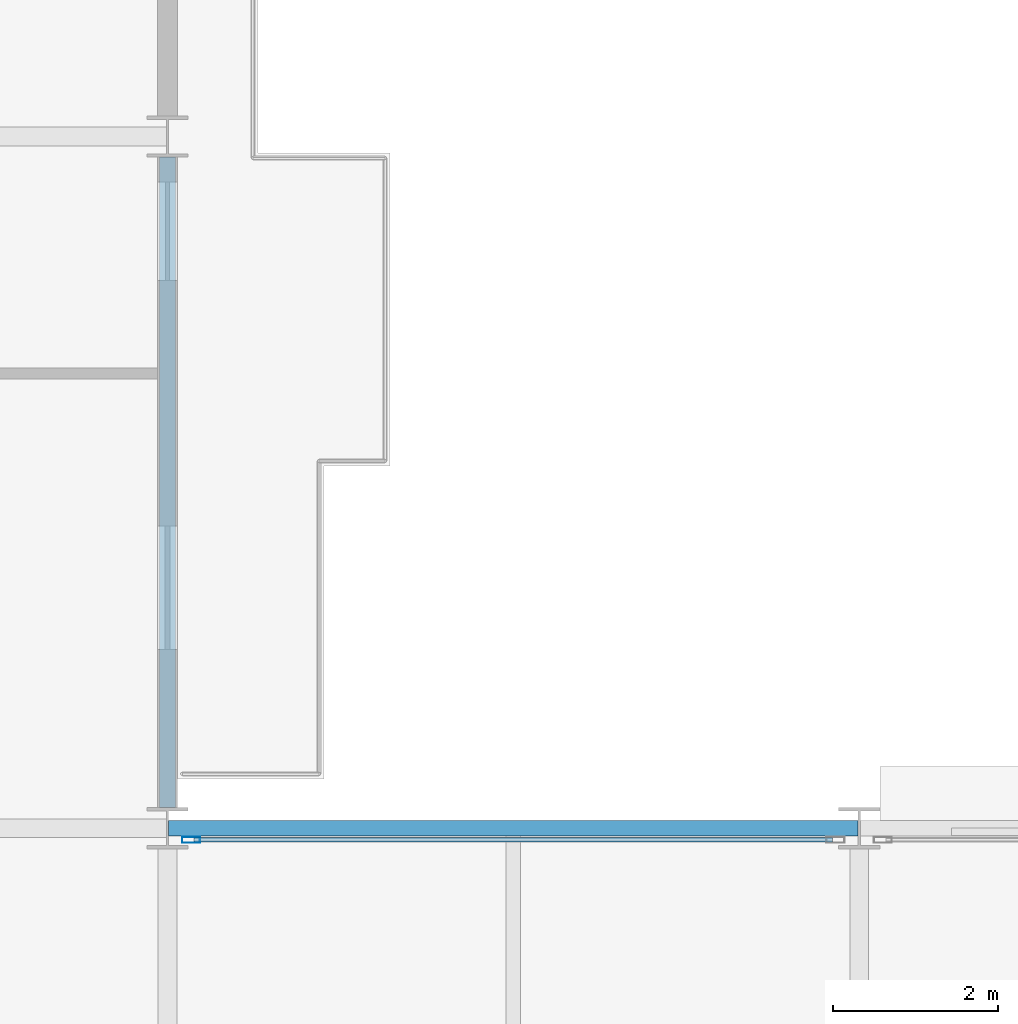
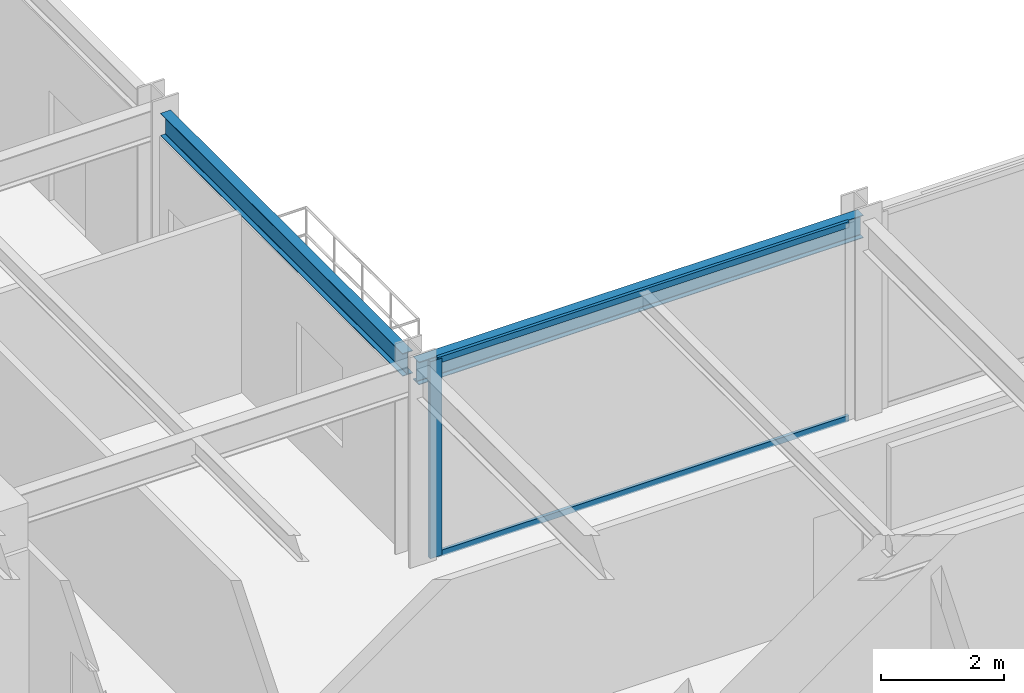
# One storey, part 8 of 25: 3 members, 2 beams, 1 element without a shape of its own.
"""IFC4 building model written with IfcOpenShell, lengths in metres."""

import ifcopenshell
import ifcopenshell.guid

model = None  # the IFC model being written
_history = None  # IfcOwnerHistory: only IFC2X3 demands one
_inside = {}  # id of a spatial element -> (the spatial element, [elements in it])
_under = {}  # id of a project, library or spatial element -> (it, [spatial elements below it])
_declared = {}  # id of a project -> (the project, [libraries it declares])
_typed = {}  # id of a type object -> (the type object, [elements of that type])
_made_of = {}  # id of a material, layer set ... -> (it, [elements and type objects made of it])


def new_model(schema):
    """Start an empty IFC model of exactly this schema.

    Asked for "IFC4X3", IfcOpenShell would pick the latest addendum, in which some entities
    have other attributes; the version numbers below select the first issue.
    IFC2X3 requires an IfcOwnerHistory on every rooted entity: one is made here for all.
    """
    global model, _history
    if schema == "IFC4X3":
        model = ifcopenshell.file(schema_version=(4, 3, 0, 0))
    else:
        model = ifcopenshell.file(schema=schema)
    _inside.clear()
    _under.clear()
    _declared.clear()
    _typed.clear()
    _made_of.clear()
    _history = None
    if model.schema == "IFC2X3":
        org = make("IfcOrganization", Name="unknown")
        user = make(
            "IfcPersonAndOrganization",
            ThePerson=make("IfcPerson", FamilyName="unknown"),
            TheOrganization=org,
        )
        app = make(
            "IfcApplication",
            ApplicationDeveloper=org,
            Version="unknown",
            ApplicationFullName="unknown",
            ApplicationIdentifier="unknown",
        )
        _history = make(
            "IfcOwnerHistory",
            OwningUser=user,
            OwningApplication=app,
            ChangeAction="ADDED",
            CreationDate=0,
        )
    return model


def make(cls, **values):
    """One entity of the class cls with the attributes given. An attribute that is None is left unset."""
    return model.create_entity(
        cls, **{name: value for name, value in values.items() if value is not None}
    )


def rooted(cls, **values):
    """An entity with a GlobalId (a new one), such as an element, a storey or a relation."""
    return make(cls, GlobalId=ifcopenshell.guid.new(), OwnerHistory=_history, **values)


def si_unit(unit_type, name, prefix=None):
    """IfcSIUnit, for example si_unit("LENGTHUNIT", "METRE", prefix="MILLI")."""
    return make("IfcSIUnit", UnitType=unit_type, Prefix=prefix, Name=name)


def assignment(units):
    """IfcUnitAssignment: the units of a project."""
    return None if units is None else make("IfcUnitAssignment", Units=units)


def point(xyz):
    """IfcCartesianPoint."""
    return None if xyz is None else make("IfcCartesianPoint", Coordinates=xyz)


def direction(xyz):
    """IfcDirection."""
    return None if xyz is None else make("IfcDirection", DirectionRatios=xyz)


def frame(location, z_axis=None, x_axis=None):
    """IfcAxis2Placement3D, a coordinate frame: its origin and axes. An axis left out is left unset."""
    return make(
        "IfcAxis2Placement3D",
        Location=point(location),
        Axis=direction(z_axis),
        RefDirection=direction(x_axis),
    )


def frame_2d(location, x_axis=None):
    """IfcAxis2Placement2D, a coordinate frame in the plane: its origin and x axis."""
    return make(
        "IfcAxis2Placement2D", Location=point(location), RefDirection=direction(x_axis)
    )


def origin():
    """The frame at (0, 0, 0) with its axes left unset."""
    return frame((0.0, 0.0, 0.0))


def origin_2d():
    """The frame at (0, 0) in the plane with its x axis left unset."""
    return frame_2d((0.0, 0.0))


def place(relative_to, where):
    """IfcLocalPlacement: puts the frame where relative to a parent placement (None: the world)."""
    return make(
        "IfcLocalPlacement", PlacementRelTo=relative_to, RelativePlacement=where
    )


def context(
    kind, dimensions, precision=None, world=None, true_north=None, identifier=None
):
    """IfcGeometricRepresentationContext, for example the 3D "Model" context."""
    return make(
        "IfcGeometricRepresentationContext",
        ContextIdentifier=identifier,
        ContextType=kind,
        CoordinateSpaceDimension=dimensions,
        Precision=precision,
        WorldCoordinateSystem=world,
        TrueNorth=true_north,
    )


def subcontext(parent, identifier, kind, view, scale=None):
    """IfcGeometricRepresentationSubContext, for example "Body" below "Model"."""
    return make(
        "IfcGeometricRepresentationSubContext",
        ContextIdentifier=identifier,
        ContextType=kind,
        ParentContext=parent,
        TargetScale=scale,
        TargetView=view,
    )


def project(units=None, contexts=None):
    """IfcProject with its units and contexts."""
    return rooted(
        "IfcProject",
        Name="project",
        RepresentationContexts=contexts,
        UnitsInContext=assignment(units),
    )


def spatial(cls, under=None, at=None, **own):
    """A site, building, storey or space (cls), placed at a placement, below another one or the project."""
    s = rooted(cls, ObjectPlacement=at, **own)
    if under is not None:
        _under.setdefault(under.id(), (under, []))[1].append(s)
    return s


def profile(cls, at=None, kind="AREA", **sizes):
    """A parametric profile (cls). Its sizes go by their IFC names, for example OverallWidth=200.0."""
    return make(cls, ProfileType=kind, Position=at, **sizes)


def hollow_rectangle(**sizes):
    """IfcRectangleHollowProfileDef."""
    return profile("IfcRectangleHollowProfileDef", **sizes)


def i_section(**sizes):
    """IfcIShapeProfileDef."""
    return profile("IfcIShapeProfileDef", **sizes)


def extrude(swept, where, along, depth):
    """IfcExtrudedAreaSolid: the profile swept, set in the frame where, extruded along a direction by depth."""
    return make(
        "IfcExtrudedAreaSolid",
        SweptArea=swept,
        Position=where,
        ExtrudedDirection=direction(along),
        Depth=depth,
    )


def shape(context_of_items, identifier, shape_type, items):
    """IfcShapeRepresentation: the items that make up one representation, for example the "Body"."""
    return make(
        "IfcShapeRepresentation",
        ContextOfItems=context_of_items,
        RepresentationIdentifier=identifier,
        RepresentationType=shape_type,
        Items=items,
    )


def material(Name=None, Category=None):
    """IfcMaterial."""
    return make("IfcMaterial", Name=Name, Category=Category)


def layer(
    of_material, thickness, ventilated=None, Name=None, Category=None, Priority=None
):
    """IfcMaterialLayer: one layer of a wall or slab, of a material (None: an air gap)."""
    return make(
        "IfcMaterialLayer",
        Material=of_material,
        LayerThickness=thickness,
        IsVentilated=ventilated,
        Name=Name,
        Category=Category,
        Priority=Priority,
    )


def layer_set(layers, Name=None):
    """IfcMaterialLayerSet."""
    return make("IfcMaterialLayerSet", MaterialLayers=layers, LayerSetName=Name)


def material_profile(
    of_material, cross_section, Name=None, Category=None, Priority=None
):
    """IfcMaterialProfile: a cross section and its material."""
    return make(
        "IfcMaterialProfile",
        Name=Name,
        Material=of_material,
        Profile=cross_section,
        Priority=Priority,
        Category=Category,
    )


def profile_set(profiles, Name=None, composite=None):
    """IfcMaterialProfileSet."""
    return make(
        "IfcMaterialProfileSet",
        Name=Name,
        MaterialProfiles=profiles,
        CompositeProfile=composite,
    )


def made_of(thing, what):
    """Note that an element or type object is made of a material, layer set ...; save() writes the relation."""
    if what is not None:
        _made_of.setdefault(what.id(), (what, []))[1].append(thing)
    return thing


def type_object(cls, material=None, **own):
    """A type object (cls), such as IfcWallType, which elements share."""
    return made_of(rooted(cls, **own), material)


def element(
    cls,
    number,
    at=None,
    inside=None,
    cuts=None,
    type_object=None,
    material=None,
    context=None,
    identifier="Body",
    shape_type=None,
    held_by="IfcProductDefinitionShape",
    body=None,
    shapes=None,
    **own,
):
    """One element of the class cls, such as IfcWall. Its Tag is "e" and its number.

    at: its placement. inside: the storey or other place that contains it. cuts: it is an
    opening in that element (IfcRelVoidsElement). A single representation is given by context,
    identifier, shape_type and body (its items); several are given by shapes. held_by: the class
    of the entity that holds the representations. save() writes the other relations.
    """
    e = rooted(cls, Tag="e%d" % number, ObjectPlacement=at, **own)
    if body is not None:
        shapes = [shape(context, identifier, shape_type, body)]
    if shapes is not None:
        e.Representation = make(held_by, Representations=shapes)
    if inside is not None:
        _inside.setdefault(inside.id(), (inside, []))[1].append(e)
    if cuts is not None:
        rooted(
            "IfcRelVoidsElement", RelatingBuildingElement=cuts, RelatedOpeningElement=e
        )
    if type_object is not None:
        _typed.setdefault(type_object.id(), (type_object, []))[1].append(e)
    return made_of(e, material)


def aggregate(whole, parts):
    """IfcRelAggregates: a whole, such as a stair, and the parts it consists of."""
    return rooted("IfcRelAggregates", RelatingObject=whole, RelatedObjects=parts)


def save(model, path):
    """Write the relations noted so far, then the file.

    IfcRelAggregates (storeys below a building ...), IfcRelContainedInSpatialStructure (elements
    in a storey), IfcRelDefinesByType, IfcRelAssociatesMaterial and IfcRelDeclares: one each for
    every whole, place, type object, material and project.
    """
    for whole, parts in _under.values():
        aggregate(whole, parts)
    for where, things in _inside.values():
        rooted(
            "IfcRelContainedInSpatialStructure",
            RelatedElements=things,
            RelatingStructure=where,
        )
    for kind, things in _typed.values():
        rooted("IfcRelDefinesByType", RelatedObjects=things, RelatingType=kind)
    for what, things in _made_of.values():
        rooted("IfcRelAssociatesMaterial", RelatedObjects=things, RelatingMaterial=what)
    for by, libraries in _declared.values():
        rooted("IfcRelDeclares", RelatingContext=by, RelatedDefinitions=libraries)
    model.write(path)


model = new_model("IFC4")

# Units and contexts
model_context = context("Model", 3, precision=1e-05, world=origin(), true_north=direction((0.0, 1.0)))
body_context = subcontext(model_context, "Body", "Model", "MODEL_VIEW")
ifc_project = project(units=[si_unit("LENGTHUNIT", "METRE"), si_unit("AREAUNIT", "SQUARE_METRE"), si_unit("VOLUMEUNIT", "CUBIC_METRE"), si_unit("PLANEANGLEUNIT", "RADIAN"), si_unit("MASSUNIT", "GRAM", prefix="KILO")], contexts=[model_context])

# Site, building, storey
site_placement = place(None, origin())
site = spatial("IfcSite", under=ifc_project, at=site_placement, CompositionType="ELEMENT")
building_placement = place(site_placement, origin())
building = spatial("IfcBuilding", under=site, at=building_placement, Name="Nerrivon Quay Data Exchange", CompositionType="ELEMENT")
storey_placement = place(building_placement, frame((0.0, 0.0, 54.199951171875)))
storey = spatial("IfcBuildingStorey", under=building, at=storey_placement, Name="L12", CompositionType="ELEMENT", Elevation=54.199951171875)

# Beams
ifc_material_1 = material(Name="Steel Grade 350", Category="steel")
ifc_material_profile_1 = material_profile(ifc_material_1, i_section(OverallWidth=0.18994140625, OverallDepth=0.4541015625, WebThickness=0.008544921875, FlangeThickness=0.0126953125, FilletRadius=0.011474609375, at=origin_2d()), Name="460UB67.1")
ifc_profile_set_1 = profile_set([ifc_material_profile_1], Name="Steel Grade 350")
beam_type = type_object("IfcBeamType", Name="BM-SP1-460UB67", PredefinedType="SPANDREL", material=ifc_profile_set_1)
beam_1_placement = place(storey_placement, frame((25.214111328125, 25.199951171875, 3.697998046875), z_axis=(1.0, 0.0, 0.0), x_axis=(0.0, 1.0, 0.0)))
element("IfcBeam", 1, at=beam_1_placement, inside=storey, type_object=beam_type, Name="L12 EW Girder Y=25.2 (25.2..33.6)", PredefinedType="SPANDREL", context=body_context, shape_type="SweptSolid", body=[
    extrude(i_section(OverallWidth=0.18994140625, OverallDepth=0.4541015625, WebThickness=0.008544921875, FlangeThickness=0.0126953125, FilletRadius=0.011474609375, at=origin_2d()), origin(), (0.0, 0.0, 1.0), 8.371826171875),
])
beam_2_placement = place(storey_placement, frame((25.199951171875, 25.449951171875, 3.697998046875), z_axis=(0.0, 1.0, 0.0), x_axis=(-1.0, 0.0, 0.0)))
element("IfcBeam", 2, at=beam_2_placement, inside=storey, type_object=beam_type, Name="L12 NS Girder X=25.2 (25.2..33.6)", PredefinedType="SPANDREL", context=body_context, shape_type="SweptSolid", body=[
    extrude(i_section(OverallWidth=0.18994140625, OverallDepth=0.4541015625, WebThickness=0.008544921875, FlangeThickness=0.0126953125, FilletRadius=0.011474609375, at=origin_2d()), origin(), (0.0, 0.0, 1.0), 7.900146484375),
])

# Curtain wall, members
ifc_material_2 = material(Name="Anodised aluminium 6063-T6", Category="aluminium")
ifc_layer = layer(ifc_material_2, 0.219970703125)
ifc_layer_set = layer_set([ifc_layer], Name="Anodised aluminium 6063-T6")
curtain_wall_type = type_object("IfcCurtainWallType", Name="CW-SYS-01", PredefinedType="NOTDEFINED", material=ifc_layer_set)
curtain_wall_placement = place(storey_placement, origin())
curtain_wall = element("IfcCurtainWall", 3, at=curtain_wall_placement, inside=storey, type_object=curtain_wall_type, Name="L12 Unitised Curtain Wall 28", PredefinedType="NOTDEFINED")
ifc_material_profile_2 = material_profile(ifc_material_2, hollow_rectangle(XDim=0.074951171875, YDim=0.219970703125, WallThickness=0.00390625, at=origin_2d()), Name="ALU-MULL-220x75")
ifc_profile_set_2 = profile_set([ifc_material_profile_2], Name="Anodised aluminium 6063-T6")
member_type_1 = type_object("IfcMemberType", Name="CWM-220x75", PredefinedType="MULLION", material=ifc_profile_set_2)
member_1_placement = place(storey_placement, frame((25.487548828125, 25.06005859375, 0.0), z_axis=(0.0, 0.0, 1.0), x_axis=(0.0, 1.0, 0.0)))
member_1 = element("IfcMember", 4, at=member_1_placement, type_object=member_type_1, Name="CW01 mullion 1", PredefinedType="MULLION", context=body_context, shape_type="SweptSolid", body=[
    extrude(hollow_rectangle(XDim=0.074951171875, YDim=0.219970703125, WallThickness=0.00390625, at=origin_2d()), origin(), (0.0, 0.0, 1.0), 3.925048828125),
])
ifc_material_profile_3 = material_profile(ifc_material_2, hollow_rectangle(XDim=0.06005859375, YDim=0.1201171875, WallThickness=0.003173828125, at=origin_2d()), Name="ALU-TRAN-120x60")
ifc_profile_set_3 = profile_set([ifc_material_profile_3], Name="Anodised aluminium 6063-T6")
member_type_2 = type_object("IfcMemberType", Name="CWT-120x60", PredefinedType="USERDEFINED", material=ifc_profile_set_3)
member_2_placement = place(storey_placement, frame((25.52490234375, 25.06005859375, 0.032470703125), z_axis=(1.0, 0.0, 0.0), x_axis=(0.0, 1.0, 0.0)))
member_2 = element("IfcMember", 5, at=member_2_placement, type_object=member_type_2, Name="CW01 transom 1.1", ObjectType="TRANSOM", PredefinedType="USERDEFINED", context=body_context, shape_type="SweptSolid", body=[
    extrude(hollow_rectangle(XDim=0.06005859375, YDim=0.1201171875, WallThickness=0.003173828125, at=origin_2d()), origin(), (0.0, 0.0, 1.0), 7.75),
])
member_3_placement = place(storey_placement, frame((25.52490234375, 25.06005859375, 3.892578125), z_axis=(1.0, 0.0, 0.0), x_axis=(0.0, 1.0, 0.0)))
member_3 = element("IfcMember", 6, at=member_3_placement, type_object=member_type_2, Name="CW01 transom 1.2", ObjectType="TRANSOM", PredefinedType="USERDEFINED", context=body_context, shape_type="SweptSolid", body=[
    extrude(hollow_rectangle(XDim=0.06005859375, YDim=0.1201171875, WallThickness=0.003173828125, at=origin_2d()), origin(), (0.0, 0.0, 1.0), 7.75),
])
aggregate(curtain_wall, [member_1, member_2, member_3])

save(model, "model.ifc")
